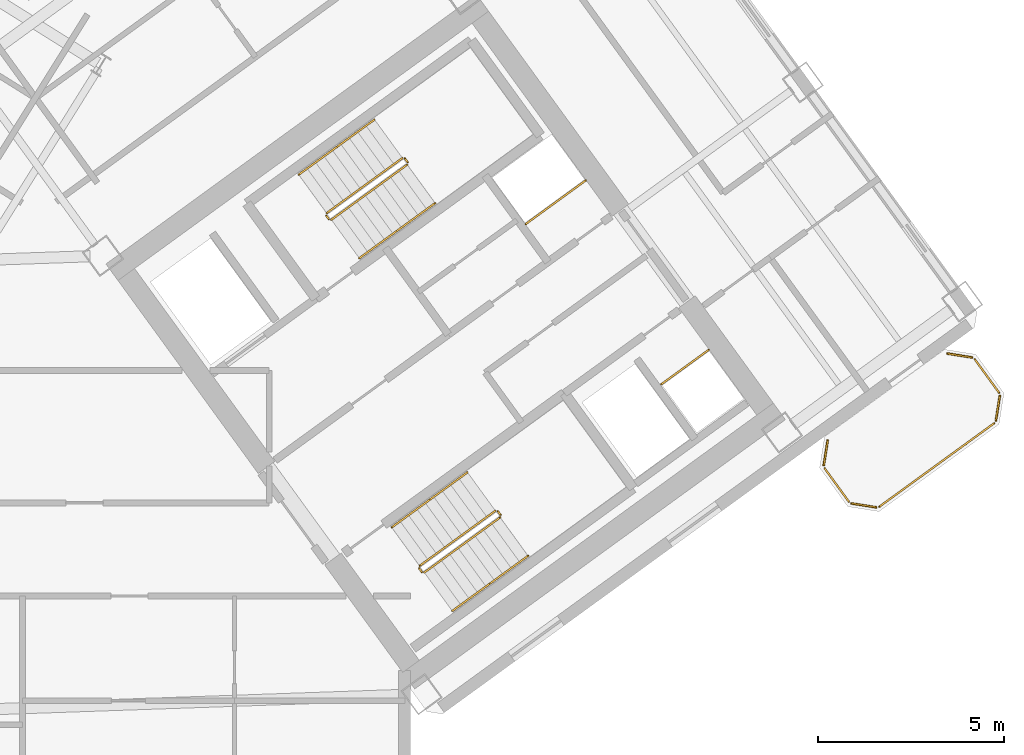
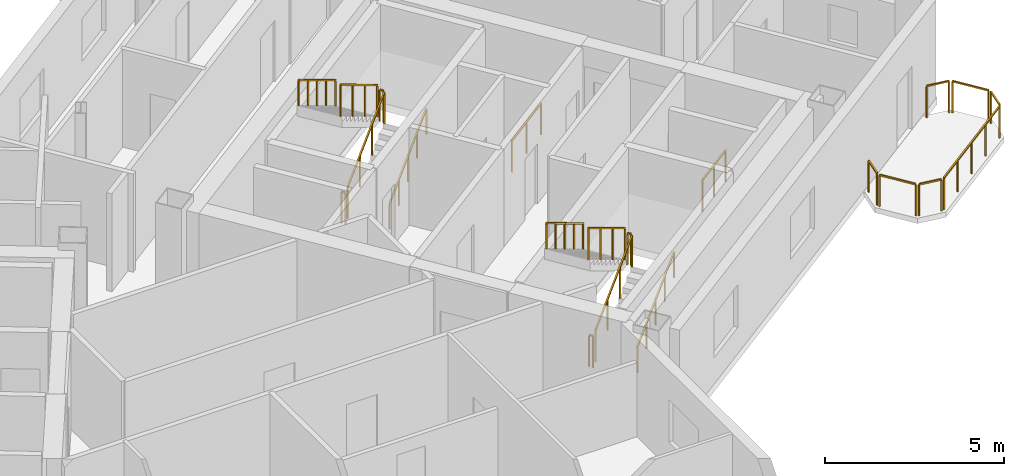
# One storey, part 19 of 20: 25 railings.
"""IFC4 building model written with IfcOpenShell, lengths in metres."""

from ifc_helpers import new_model, si_unit, direction, frame, origin, origin_2d, place, context, subcontext, project, spatial, rectangle, extrude, source, transform, mapped, material, type_object, element, save


model = new_model("IFC4")

# Units and contexts
model_context = context("Model", 3, precision=1e-05, world=origin(), true_north=direction((0.0, 1.0)))
body_context = subcontext(model_context, "Body", "Model", "MODEL_VIEW")
ifc_project = project(units=[si_unit("LENGTHUNIT", "METRE"), si_unit("AREAUNIT", "SQUARE_METRE"), si_unit("VOLUMEUNIT", "CUBIC_METRE"), si_unit("PLANEANGLEUNIT", "RADIAN"), si_unit("MASSUNIT", "GRAM", prefix="KILO")], contexts=[model_context])

# Site, building, storey
site_placement = place(None, origin())
site = spatial("IfcSite", under=ifc_project, at=site_placement, CompositionType="ELEMENT")
building_placement = place(site_placement, origin())
building = spatial("IfcBuilding", under=site, at=building_placement, Name="Tlacorven Tower", CompositionType="ELEMENT")
storey_placement = place(building_placement, frame((0.0, 0.0, 204.0)))
storey = spatial("IfcBuildingStorey", under=building, at=storey_placement, Name="L51", CompositionType="ELEMENT", Elevation=204.0)

# Railings
ifc_material = material(Name="Aluminium and painted steel balustrade", Category="steel")
railing_type_1 = type_object("IfcRailingType", Name="RL-GRD-1100", PredefinedType="GUARDRAIL", material=ifc_material)
shared_shape_1 = source(origin(), body_context, "Body", "SweptSolid", [
    extrude(rectangle(XDim=0.048095703125, YDim=0.048095703125, at=origin_2d()), frame((0.0, 0.0, 1.076171875), z_axis=(0.808947177504, 0.587881334972, 0.0), x_axis=(-0.587881334972, 0.808947177504, 0.0)), (0.0, 0.0, 1.0), 2.0),
    extrude(rectangle(XDim=0.0419921875, YDim=0.0419921875, at=origin_2d()), origin(), (0.0, 0.0, 1.0), 1.052001953125),
    extrude(rectangle(XDim=0.0419921875, YDim=0.0419921875, at=origin_2d()), frame((0.80908203125, 0.587890625, 0.0)), (0.0, 0.0, 1.0), 1.052001953125),
    extrude(rectangle(XDim=0.0419921875, YDim=0.0419921875, at=origin_2d()), frame((1.617919921875, 1.17578125, 0.0)), (0.0, 0.0, 1.0), 1.052001953125),
])
railing_1_placement = place(storey_placement, frame((55.506103515625, 25.438232421875, 0.0)))
element("IfcRailing", 1, at=railing_1_placement, inside=storey, type_object=railing_type_1, Name="L51 Electrical Riser E Shaft Guard 1", PredefinedType="GUARDRAIL", context=body_context, shape_type="MappedRepresentation", body=[
    mapped(shared_shape_1, transform((0.0, 0.0, 0.0), scale=1.0)),
])
shared_shape_2 = source(origin(), body_context, "Body", "SweptSolid", [
    extrude(rectangle(XDim=0.048095703125, YDim=0.048095703125, at=origin_2d()), frame((0.0, 0.0, 1.076171875), z_axis=(0.809029975545, 0.58776738483, 0.0), x_axis=(-0.58776738483, 0.809029975545, 0.0)), (0.0, 0.0, 1.0), 1.580078125),
    extrude(rectangle(XDim=0.0419921875, YDim=0.0419921875, at=origin_2d()), origin(), (0.0, 0.0, 1.0), 1.052001953125),
    extrude(rectangle(XDim=0.0419921875, YDim=0.0419921875, at=origin_2d()), frame((0.63916015625, 0.46435546875, 0.0)), (0.0, 0.0, 1.0), 1.052001953125),
    extrude(rectangle(XDim=0.0419921875, YDim=0.0419921875, at=origin_2d()), frame((1.2783203125, 0.9287109375, 0.0)), (0.0, 0.0, 1.0), 1.052001953125),
])
railing_2_placement = place(storey_placement, frame((59.160888671875, 21.122314453125, 0.0)))
element("IfcRailing", 2, at=railing_2_placement, inside=storey, type_object=railing_type_1, Name="L51 Smoke Riser E Shaft Guard 1", PredefinedType="GUARDRAIL", context=body_context, shape_type="MappedRepresentation", body=[
    mapped(shared_shape_2, transform((0.0, 0.0, 0.0), scale=1.0)),
])
railing_type_2 = type_object("IfcRailingType", Name="RL-BAL-1100", PredefinedType="BALUSTRADE", material=ifc_material)
shared_shape_3 = source(origin(), body_context, "Body", "SweptSolid", [
    extrude(rectangle(XDim=0.048095703125, YDim=0.048095703125, at=origin_2d()), frame((0.0, 0.0, 1.076171875), z_axis=(0.156602868908, 0.987661653326, 0.0), x_axis=(-0.987661653326, 0.156602868908, 0.0)), (0.0, 0.0, 1.0), 0.665771484375),
    extrude(rectangle(XDim=0.0419921875, YDim=0.0419921875, at=origin_2d()), origin(), (0.0, 0.0, 1.0), 1.052001953125),
    extrude(rectangle(XDim=0.0419921875, YDim=0.0419921875, at=origin_2d()), frame((0.104248046875, 0.657470703125, 0.0)), (0.0, 0.0, 1.0), 1.052001953125),
])
railing_3_placement = place(storey_placement, frame((63.539306640625, 18.949951171875, 0.0)))
element("IfcRailing", 3, at=railing_3_placement, inside=storey, type_object=railing_type_2, Name="BAL-L51-E-OUT Guard Railing 3", PredefinedType="BALUSTRADE", context=body_context, shape_type="MappedRepresentation", body=[
    mapped(shared_shape_3, transform((0.0, 0.0, 0.0), scale=1.0)),
])
shared_shape_4 = source(origin(), body_context, "Body", "SweptSolid", [
    extrude(rectangle(XDim=0.048095703125, YDim=0.048095703125, at=origin_2d()), frame((0.0, 0.0, 1.076171875), z_axis=(0.58788449985, -0.808944877501, 0.0), x_axis=(0.808944877501, 0.58788449985, 0.0)), (0.0, 0.0, 1.0), 1.112060546875),
    extrude(rectangle(XDim=0.0419921875, YDim=0.0419921875, at=origin_2d()), origin(), (0.0, 0.0, 1.0), 1.052001953125),
    extrude(rectangle(XDim=0.0419921875, YDim=0.0419921875, at=origin_2d()), frame((0.65380859375, -0.899658203125, 0.0)), (0.0, 0.0, 1.0), 1.052001953125),
])
railing_4_placement = place(storey_placement, frame((67.60595703125, 21.799072265625, 0.0)))
element("IfcRailing", 4, at=railing_4_placement, inside=storey, type_object=railing_type_2, Name="BAL-L51-E-OUT Guard Railing 5", PredefinedType="BALUSTRADE", context=body_context, shape_type="MappedRepresentation", body=[
    mapped(shared_shape_4, transform((0.0, 0.0, 0.0), scale=1.0)),
])
shared_shape_5 = source(origin(), body_context, "Body", "SweptSolid", [
    extrude(rectangle(XDim=0.048095703125, YDim=0.048095703125, at=origin_2d()), frame((0.0, 0.0, 1.076171875), z_axis=(-0.809018102573, -0.587783726986, 0.0), x_axis=(0.587783726986, -0.809018102573, 0.0)), (0.0, 0.0, 1.0), 3.817138671875),
    extrude(rectangle(XDim=0.0419921875, YDim=0.0419921875, at=origin_2d()), origin(), (0.0, 0.0, 1.0), 1.052001953125),
    extrude(rectangle(XDim=0.0419921875, YDim=0.0419921875, at=origin_2d()), frame((-0.77197265625, -0.56103515625, 0.0)), (0.0, 0.0, 1.0), 1.052001953125),
    extrude(rectangle(XDim=0.0419921875, YDim=0.0419921875, at=origin_2d()), frame((-1.5439453125, -1.121826171875, 0.0)), (0.0, 0.0, 1.0), 1.052001953125),
    extrude(rectangle(XDim=0.0419921875, YDim=0.0419921875, at=origin_2d()), frame((-2.316162109375, -1.6826171875, 0.0)), (0.0, 0.0, 1.0), 1.052001953125),
    extrude(rectangle(XDim=0.0419921875, YDim=0.0419921875, at=origin_2d()), frame((-3.088134765625, -2.24365234375, 0.0)), (0.0, 0.0, 1.0), 1.052001953125),
])
railing_5_placement = place(storey_placement, frame((68.12890625, 20.0732421875, 0.0)))
element("IfcRailing", 5, at=railing_5_placement, inside=storey, type_object=railing_type_2, Name="BAL-L51-E-OUT Guard Railing 7", PredefinedType="BALUSTRADE", context=body_context, shape_type="MappedRepresentation", body=[
    mapped(shared_shape_5, transform((0.0, 0.0, 0.0), scale=1.0)),
])
shared_shape_6 = source(origin(), body_context, "Body", "SweptSolid", [
    extrude(rectangle(XDim=0.048095703125, YDim=0.048095703125, at=origin_2d()), frame((0.0, 0.0, 1.076171875), z_axis=(-0.987718317463, 0.156245081039, 0.0), x_axis=(-0.156245081039, -0.987718317463, 0.0)), (0.0, 0.0, 1.0), 0.66552734375),
    extrude(rectangle(XDim=0.0419921875, YDim=0.0419921875, at=origin_2d()), origin(), (0.0, 0.0, 1.0), 1.052001953125),
    extrude(rectangle(XDim=0.0419921875, YDim=0.0419921875, at=origin_2d()), frame((-0.657470703125, 0.10400390625, 0.0)), (0.0, 0.0, 1.0), 1.052001953125),
])
railing_6_placement = place(storey_placement, frame((64.950927734375, 17.80810546875, 0.0)))
element("IfcRailing", 6, at=railing_6_placement, inside=storey, type_object=railing_type_2, Name="BAL-L51-E-OUT Guard Railing 1", PredefinedType="BALUSTRADE", context=body_context, shape_type="MappedRepresentation", body=[
    mapped(shared_shape_6, transform((0.0, 0.0, 0.0), scale=1.0)),
])
shared_shape_7 = source(origin(), body_context, "Body", "SweptSolid", [
    extrude(rectangle(XDim=0.048095703125, YDim=0.048095703125, at=origin_2d()), frame((0.0, 0.0, 1.076171875), z_axis=(-0.587740817519, 0.809049276263, 0.0), x_axis=(-0.809049276263, -0.587740817519, 0.0)), (0.0, 0.0, 1.0), 1.112060546875),
    extrude(rectangle(XDim=0.0419921875, YDim=0.0419921875, at=origin_2d()), origin(), (0.0, 0.0, 1.0), 1.052001953125),
    extrude(rectangle(XDim=0.0419921875, YDim=0.0419921875, at=origin_2d()), frame((-0.653564453125, 0.899658203125, 0.0)), (0.0, 0.0, 1.0), 1.052001953125),
])
railing_7_placement = place(storey_placement, frame((64.214599609375, 17.96044921875, 0.0)))
element("IfcRailing", 7, at=railing_7_placement, inside=storey, type_object=railing_type_2, Name="BAL-L51-E-OUT Guard Railing 2", PredefinedType="BALUSTRADE", context=body_context, shape_type="MappedRepresentation", body=[
    mapped(shared_shape_7, transform((0.0, 0.0, 0.0), scale=1.0)),
])
shared_shape_8 = source(origin(), body_context, "Body", "SweptSolid", [
    extrude(rectangle(XDim=0.048095703125, YDim=0.048095703125, at=origin_2d()), frame((0.0, 0.0, 1.076171875), z_axis=(-0.156245081039, -0.987718317463, 0.0), x_axis=(0.987718317463, -0.156245081039, 0.0)), (0.0, 0.0, 1.0), 0.66552734375),
    extrude(rectangle(XDim=0.0419921875, YDim=0.0419921875, at=origin_2d()), origin(), (0.0, 0.0, 1.0), 1.052001953125),
    extrude(rectangle(XDim=0.0419921875, YDim=0.0419921875, at=origin_2d()), frame((-0.10400390625, -0.657470703125, 0.0)), (0.0, 0.0, 1.0), 1.052001953125),
])
railing_8_placement = place(storey_placement, frame((68.28125, 20.8095703125, 0.0)))
element("IfcRailing", 8, at=railing_8_placement, inside=storey, type_object=railing_type_2, Name="BAL-L51-E-OUT Guard Railing 6", PredefinedType="BALUSTRADE", context=body_context, shape_type="MappedRepresentation", body=[
    mapped(shared_shape_8, transform((0.0, 0.0, 0.0), scale=1.0)),
])
shared_shape_9 = source(origin(), body_context, "Body", "SweptSolid", [
    extrude(rectangle(XDim=0.048095703125, YDim=0.048095703125, at=origin_2d()), frame((0.0, 0.0, 1.076171875), z_axis=(0.987727266442, -0.156188498702, 0.0), x_axis=(0.156188498702, 0.987727266442, 0.0)), (0.0, 0.0, 1.0), 0.665771484375),
    extrude(rectangle(XDim=0.0419921875, YDim=0.0419921875, at=origin_2d()), origin(), (0.0, 0.0, 1.0), 1.052001953125),
    extrude(rectangle(XDim=0.0419921875, YDim=0.0419921875, at=origin_2d()), frame((0.65771484375, -0.10400390625, 0.0)), (0.0, 0.0, 1.0), 1.052001953125),
])
railing_9_placement = place(storey_placement, frame((66.86962890625, 21.951416015625, 0.0)))
element("IfcRailing", 9, at=railing_9_placement, inside=storey, type_object=railing_type_2, Name="BAL-L51-E-OUT Guard Railing 4", PredefinedType="BALUSTRADE", context=body_context, shape_type="MappedRepresentation", body=[
    mapped(shared_shape_9, transform((0.0, 0.0, 0.0), scale=1.0)),
])
shared_shape_10 = source(origin(), body_context, "Body", "SweptSolid", [
    extrude(rectangle(XDim=0.048095703125, YDim=0.048095703125, at=origin_2d()), frame((0.0, 0.0, 1.076171875), z_axis=(-0.587567097037, 0.809175448515, 0.0), x_axis=(-0.809175448515, -0.587567097037, 0.0)), (0.0, 0.0, 1.0), 0.1201171875),
    extrude(rectangle(XDim=0.0419921875, YDim=0.0419921875, at=origin_2d()), origin(), (0.0, 0.0, 1.0), 1.052001953125),
    extrude(rectangle(XDim=0.0419921875, YDim=0.0419921875, at=origin_2d()), frame((-0.070556640625, 0.09716796875, 0.0)), (0.0, 0.0, 1.0), 1.052001953125),
])
for number, where, name in (
    (10, (54.8310546875, 17.605712890625, 1.800048828125), "L51 ST-E2 stair guard 2"),
    (11, (52.71142578125, 16.065673828125, 0.0), "L51 ST-E2 stair guard 4"),
):
    element("IfcRailing", number, at=place(storey_placement, frame(where)), inside=storey, type_object=railing_type_1, Name=name, PredefinedType="GUARDRAIL", context=body_context, shape_type="MappedRepresentation", body=[
        mapped(shared_shape_10, transform((0.0, 0.0, 0.0), scale=1.0)),
    ])
shared_shape_11 = source(origin(), body_context, "Body", "SweptSolid", [
    extrude(rectangle(XDim=0.048095703125, YDim=0.048095703125, at=origin_2d()), frame((0.0, 0.0, 1.076171875), z_axis=(-0.587201422542, 0.809440849824, 0.0), x_axis=(-0.809440849824, -0.587201422542, 0.0)), (0.0, 0.0, 1.0), 0.11962890625),
    extrude(rectangle(XDim=0.0419921875, YDim=0.0419921875, at=origin_2d()), origin(), (0.0, 0.0, 1.0), 1.052001953125),
    extrude(rectangle(XDim=0.0419921875, YDim=0.0419921875, at=origin_2d()), frame((-0.0703125, 0.096923828125, 0.0)), (0.0, 0.0, 1.0), 1.052001953125),
])
for number, where, name in (
    (12, (52.326904296875, 27.10888671875, 1.800048828125), "L51 ST-E1 stair guard 2"),
    (13, (50.207275390625, 25.56884765625, 0.0), "L51 ST-E1 stair guard 4"),
):
    element("IfcRailing", number, at=place(storey_placement, frame(where)), inside=storey, type_object=railing_type_1, Name=name, PredefinedType="GUARDRAIL", context=body_context, shape_type="MappedRepresentation", body=[
        mapped(shared_shape_11, transform((0.0, 0.0, 0.0), scale=1.0)),
    ])
shared_shape_12 = source(origin(), body_context, "Body", "SweptSolid", [
    extrude(rectangle(XDim=0.048095703125, YDim=0.048095703125, at=origin_2d()), frame((0.0, 0.0, 1.076171875), z_axis=(0.680488636597, 0.494434078831, 0.540805100894), x_axis=(-0.5878087079, 0.808999952359, 0.0)), (0.0, 0.0, 1.0), 2.995849609375),
    extrude(rectangle(XDim=0.0419921875, YDim=0.0419921875, at=origin_2d()), origin(), (0.0, 0.0, 1.0), 1.052001953125),
    extrude(rectangle(XDim=0.0419921875, YDim=0.0419921875, at=origin_2d()), frame((0.679443359375, 0.49365234375, 0.5400390625)), (0.0, 0.0, 1.0), 1.052001953125),
    extrude(rectangle(XDim=0.0419921875, YDim=0.0419921875, at=origin_2d()), frame((1.359130859375, 0.987548828125, 1.080078125)), (0.0, 0.0, 1.0), 1.052001953125),
    extrude(rectangle(XDim=0.0419921875, YDim=0.0419921875, at=origin_2d()), frame((2.03857421875, 1.481201171875, 1.6201171875)), (0.0, 0.0, 1.0), 1.052001953125),
])
railing_10_placement = place(storey_placement, frame((50.27734375, 25.557861328125, 0.179931640625)))
element("IfcRailing", 14, at=railing_10_placement, inside=storey, type_object=railing_type_1, Name="L51 ST-E1 stair guard 1", PredefinedType="GUARDRAIL", context=body_context, shape_type="MappedRepresentation", body=[
    mapped(shared_shape_12, transform((0.0, 0.0, 0.0), scale=1.0)),
])
shared_shape_13 = source(origin(), body_context, "Body", "SweptSolid", [
    extrude(rectangle(XDim=0.048095703125, YDim=0.048095703125, at=origin_2d()), frame((0.0, 0.0, 1.076171875), z_axis=(-0.680488636597, -0.494434078831, 0.540805100894), x_axis=(0.5878087079, -0.808999952359, 0.0)), (0.0, 0.0, 1.0), 2.995849609375),
    extrude(rectangle(XDim=0.0419921875, YDim=0.0419921875, at=origin_2d()), origin(), (0.0, 0.0, 1.0), 1.052001953125),
    extrude(rectangle(XDim=0.0419921875, YDim=0.0419921875, at=origin_2d()), frame((-0.679443359375, -0.49365234375, 0.5400390625)), (0.0, 0.0, 1.0), 1.052001953125),
    extrude(rectangle(XDim=0.0419921875, YDim=0.0419921875, at=origin_2d()), frame((-1.359130859375, -0.987548828125, 1.080078125)), (0.0, 0.0, 1.0), 1.052001953125),
    extrude(rectangle(XDim=0.0419921875, YDim=0.0419921875, at=origin_2d()), frame((-2.03857421875, -1.481201171875, 1.6201171875)), (0.0, 0.0, 1.0), 1.052001953125),
])
railing_11_placement = place(storey_placement, frame((52.1865234375, 27.217041015625, 1.97998046875)))
element("IfcRailing", 15, at=railing_11_placement, inside=storey, type_object=railing_type_1, Name="L51 ST-E1 stair guard 3", PredefinedType="GUARDRAIL", context=body_context, shape_type="MappedRepresentation", body=[
    mapped(shared_shape_13, transform((0.0, 0.0, 0.0), scale=1.0)),
])
railing_type_3 = type_object("IfcRailingType", Name="RL-HND-0900", PredefinedType="HANDRAIL", material=ifc_material)
shared_shape_14 = source(origin(), body_context, "Body", "SweptSolid", [
    extrude(rectangle(XDim=0.048095703125, YDim=0.048095703125, at=origin_2d()), frame((0.0, 0.0, 0.8759765625), z_axis=(0.680516055757, 0.494372502302, 0.540826891737), x_axis=(-0.587745292299, 0.809046025502, 0.0)), (0.0, 0.0, 1.0), 1.497802734375),
    extrude(rectangle(XDim=0.0419921875, YDim=0.0419921875, at=origin_2d()), origin(), (0.0, 0.0, 1.0), 0.851806640625),
    extrude(rectangle(XDim=0.0419921875, YDim=0.0419921875, at=origin_2d()), frame((0.509765625, 0.3701171875, 0.405029296875)), (0.0, 0.0, 1.0), 0.851806640625),
    extrude(rectangle(XDim=0.0419921875, YDim=0.0419921875, at=origin_2d()), frame((1.019287109375, 0.740478515625, 0.81005859375)), (0.0, 0.0, 1.0), 0.851806640625),
])
for number, where, name in (
    (16, (51.029541015625, 24.522216796875, 0.179931640625), "L51 ST-E1 stair handrail 1"),
    (17, (54.552978515625, 15.759765625, 0.989990234375), "L51 ST-E2 stair handrail 2"),
):
    element("IfcRailing", number, at=place(storey_placement, frame(where)), inside=storey, type_object=railing_type_3, Name=name, PredefinedType="HANDRAIL", context=body_context, shape_type="MappedRepresentation", body=[
        mapped(shared_shape_14, transform((0.0, 0.0, 0.0), scale=1.0)),
    ])
shared_shape_15 = source(origin(), body_context, "Body", "SweptSolid", [
    extrude(rectangle(XDim=0.048095703125, YDim=0.048095703125, at=origin_2d()), frame((0.0, 0.0, 0.8759765625), z_axis=(0.680548719995, 0.49444080854, 0.540723336433), x_axis=(-0.587779977844, 0.80902082646, 0.0)), (0.0, 0.0, 1.0), 1.498046875),
    extrude(rectangle(XDim=0.0419921875, YDim=0.0419921875, at=origin_2d()), origin(), (0.0, 0.0, 1.0), 0.851806640625),
    extrude(rectangle(XDim=0.0419921875, YDim=0.0419921875, at=origin_2d()), frame((0.509765625, 0.370361328125, 0.405029296875)), (0.0, 0.0, 1.0), 0.851806640625),
    extrude(rectangle(XDim=0.0419921875, YDim=0.0419921875, at=origin_2d()), frame((1.01953125, 0.74072265625, 0.81005859375)), (0.0, 0.0, 1.0), 0.851806640625),
])
railing_12_placement = place(storey_placement, frame((52.048828125, 25.2626953125, 0.989990234375)))
element("IfcRailing", 18, at=railing_12_placement, inside=storey, type_object=railing_type_3, Name="L51 ST-E1 stair handrail 2", PredefinedType="HANDRAIL", context=body_context, shape_type="MappedRepresentation", body=[
    mapped(shared_shape_15, transform((0.0, 0.0, 0.0), scale=1.0)),
])
shared_shape_16 = source(origin(), body_context, "Body", "SweptSolid", [
    extrude(rectangle(XDim=0.048095703125, YDim=0.048095703125, at=origin_2d()), frame((0.0, 0.0, 0.8759765625), z_axis=(-0.680603554404, -0.494317667746, 0.540766904577), x_axis=(0.587653156371, -0.809112951205, 0.0)), (0.0, 0.0, 1.0), 1.498046875),
    extrude(rectangle(XDim=0.0419921875, YDim=0.0419921875, at=origin_2d()), origin(), (0.0, 0.0, 1.0), 0.851806640625),
    extrude(rectangle(XDim=0.0419921875, YDim=0.0419921875, at=origin_2d()), frame((-0.509765625, -0.3701171875, 0.405029296875)), (0.0, 0.0, 1.0), 0.851806640625),
    extrude(rectangle(XDim=0.0419921875, YDim=0.0419921875, at=origin_2d()), frame((-1.01953125, -0.740478515625, 0.81005859375)), (0.0, 0.0, 1.0), 0.851806640625),
])
railing_13_placement = place(storey_placement, frame((51.434326171875, 28.25244140625, 1.97998046875)))
element("IfcRailing", 19, at=railing_13_placement, inside=storey, type_object=railing_type_3, Name="L51 ST-E1 stair handrail 3", PredefinedType="HANDRAIL", context=body_context, shape_type="MappedRepresentation", body=[
    mapped(shared_shape_16, transform((0.0, 0.0, 0.0), scale=1.0)),
])
shared_shape_17 = source(origin(), body_context, "Body", "SweptSolid", [
    extrude(rectangle(XDim=0.048095703125, YDim=0.048095703125, at=origin_2d()), frame((0.0, 0.0, 0.8759765625), z_axis=(-0.680461216233, -0.494495647917, 0.540783309093), x_axis=(0.587872112667, -0.808953879494, 0.0)), (0.0, 0.0, 1.0), 1.498046875),
    extrude(rectangle(XDim=0.0419921875, YDim=0.0419921875, at=origin_2d()), origin(), (0.0, 0.0, 1.0), 0.851806640625),
    extrude(rectangle(XDim=0.0419921875, YDim=0.0419921875, at=origin_2d()), frame((-0.509765625, -0.370361328125, 0.405029296875)), (0.0, 0.0, 1.0), 0.851806640625),
    extrude(rectangle(XDim=0.0419921875, YDim=0.0419921875, at=origin_2d()), frame((-1.019287109375, -0.74072265625, 0.81005859375)), (0.0, 0.0, 1.0), 0.851806640625),
])
for number, where, name in (
    (20, (50.414794921875, 27.511962890625, 2.7900390625), "L51 ST-E1 stair handrail 4"),
    (21, (52.9189453125, 18.0087890625, 2.7900390625), "L51 ST-E2 stair handrail 4"),
):
    element("IfcRailing", number, at=place(storey_placement, frame(where)), inside=storey, type_object=railing_type_3, Name=name, PredefinedType="HANDRAIL", context=body_context, shape_type="MappedRepresentation", body=[
        mapped(shared_shape_17, transform((0.0, 0.0, 0.0), scale=1.0)),
    ])
shared_shape_18 = source(origin(), body_context, "Body", "SweptSolid", [
    extrude(rectangle(XDim=0.048095703125, YDim=0.048095703125, at=origin_2d()), frame((0.0, 0.0, 1.076171875), z_axis=(0.680532390839, 0.494406659708, 0.54077511024), x_axis=(-0.587762637553, 0.809033424462, 0.0)), (0.0, 0.0, 1.0), 2.995849609375),
    extrude(rectangle(XDim=0.0419921875, YDim=0.0419921875, at=origin_2d()), origin(), (0.0, 0.0, 1.0), 1.052001953125),
    extrude(rectangle(XDim=0.0419921875, YDim=0.0419921875, at=origin_2d()), frame((0.6796875, 0.49365234375, 0.5400390625)), (0.0, 0.0, 1.0), 1.052001953125),
    extrude(rectangle(XDim=0.0419921875, YDim=0.0419921875, at=origin_2d()), frame((1.359130859375, 0.987548828125, 1.080078125)), (0.0, 0.0, 1.0), 1.052001953125),
    extrude(rectangle(XDim=0.0419921875, YDim=0.0419921875, at=origin_2d()), frame((2.038818359375, 1.481201171875, 1.6201171875)), (0.0, 0.0, 1.0), 1.052001953125),
])
railing_14_placement = place(storey_placement, frame((52.78125, 16.0546875, 0.179931640625)))
element("IfcRailing", 22, at=railing_14_placement, inside=storey, type_object=railing_type_1, Name="L51 ST-E2 stair guard 1", PredefinedType="GUARDRAIL", context=body_context, shape_type="MappedRepresentation", body=[
    mapped(shared_shape_18, transform((0.0, 0.0, 0.0), scale=1.0)),
])
shared_shape_19 = source(origin(), body_context, "Body", "SweptSolid", [
    extrude(rectangle(XDim=0.048095703125, YDim=0.048095703125, at=origin_2d()), frame((0.0, 0.0, 1.076171875), z_axis=(-0.680532390839, -0.494406659708, 0.54077511024), x_axis=(0.587762637553, -0.809033424462, 0.0)), (0.0, 0.0, 1.0), 2.995849609375),
    extrude(rectangle(XDim=0.0419921875, YDim=0.0419921875, at=origin_2d()), origin(), (0.0, 0.0, 1.0), 1.052001953125),
    extrude(rectangle(XDim=0.0419921875, YDim=0.0419921875, at=origin_2d()), frame((-0.6796875, -0.49365234375, 0.5400390625)), (0.0, 0.0, 1.0), 1.052001953125),
    extrude(rectangle(XDim=0.0419921875, YDim=0.0419921875, at=origin_2d()), frame((-1.359130859375, -0.987548828125, 1.080078125)), (0.0, 0.0, 1.0), 1.052001953125),
    extrude(rectangle(XDim=0.0419921875, YDim=0.0419921875, at=origin_2d()), frame((-2.038818359375, -1.481201171875, 1.6201171875)), (0.0, 0.0, 1.0), 1.052001953125),
])
railing_15_placement = place(storey_placement, frame((54.690673828125, 17.7138671875, 1.97998046875)))
element("IfcRailing", 23, at=railing_15_placement, inside=storey, type_object=railing_type_1, Name="L51 ST-E2 stair guard 3", PredefinedType="GUARDRAIL", context=body_context, shape_type="MappedRepresentation", body=[
    mapped(shared_shape_19, transform((0.0, 0.0, 0.0), scale=1.0)),
])
shared_shape_20 = source(origin(), body_context, "Body", "SweptSolid", [
    extrude(rectangle(XDim=0.048095703125, YDim=0.048095703125, at=origin_2d()), frame((0.0, 0.0, 0.8759765625), z_axis=(0.680461216233, 0.494495647917, 0.540783309093), x_axis=(-0.587872112667, 0.808953879494, 0.0)), (0.0, 0.0, 1.0), 1.498046875),
    extrude(rectangle(XDim=0.0419921875, YDim=0.0419921875, at=origin_2d()), origin(), (0.0, 0.0, 1.0), 0.851806640625),
    extrude(rectangle(XDim=0.0419921875, YDim=0.0419921875, at=origin_2d()), frame((0.509765625, 0.370361328125, 0.405029296875)), (0.0, 0.0, 1.0), 0.851806640625),
    extrude(rectangle(XDim=0.0419921875, YDim=0.0419921875, at=origin_2d()), frame((1.019287109375, 0.74072265625, 0.81005859375)), (0.0, 0.0, 1.0), 0.851806640625),
])
railing_16_placement = place(storey_placement, frame((53.53369140625, 15.01904296875, 0.179931640625)))
element("IfcRailing", 24, at=railing_16_placement, inside=storey, type_object=railing_type_3, Name="L51 ST-E2 stair handrail 1", PredefinedType="HANDRAIL", context=body_context, shape_type="MappedRepresentation", body=[
    mapped(shared_shape_20, transform((0.0, 0.0, 0.0), scale=1.0)),
])
shared_shape_21 = source(origin(), body_context, "Body", "SweptSolid", [
    extrude(rectangle(XDim=0.048095703125, YDim=0.048095703125, at=origin_2d()), frame((0.0, 0.0, 0.8759765625), z_axis=(-0.680516055757, -0.494372502302, 0.540826891737), x_axis=(0.587745292299, -0.809046025502, 0.0)), (0.0, 0.0, 1.0), 1.497802734375),
    extrude(rectangle(XDim=0.0419921875, YDim=0.0419921875, at=origin_2d()), origin(), (0.0, 0.0, 1.0), 0.851806640625),
    extrude(rectangle(XDim=0.0419921875, YDim=0.0419921875, at=origin_2d()), frame((-0.509765625, -0.3701171875, 0.405029296875)), (0.0, 0.0, 1.0), 0.851806640625),
    extrude(rectangle(XDim=0.0419921875, YDim=0.0419921875, at=origin_2d()), frame((-1.019287109375, -0.740478515625, 0.81005859375)), (0.0, 0.0, 1.0), 0.851806640625),
])
railing_17_placement = place(storey_placement, frame((53.938232421875, 18.749267578125, 1.97998046875)))
element("IfcRailing", 25, at=railing_17_placement, inside=storey, type_object=railing_type_3, Name="L51 ST-E2 stair handrail 3", PredefinedType="HANDRAIL", context=body_context, shape_type="MappedRepresentation", body=[
    mapped(shared_shape_21, transform((0.0, 0.0, 0.0), scale=1.0)),
])

save(model, "model.ifc")
